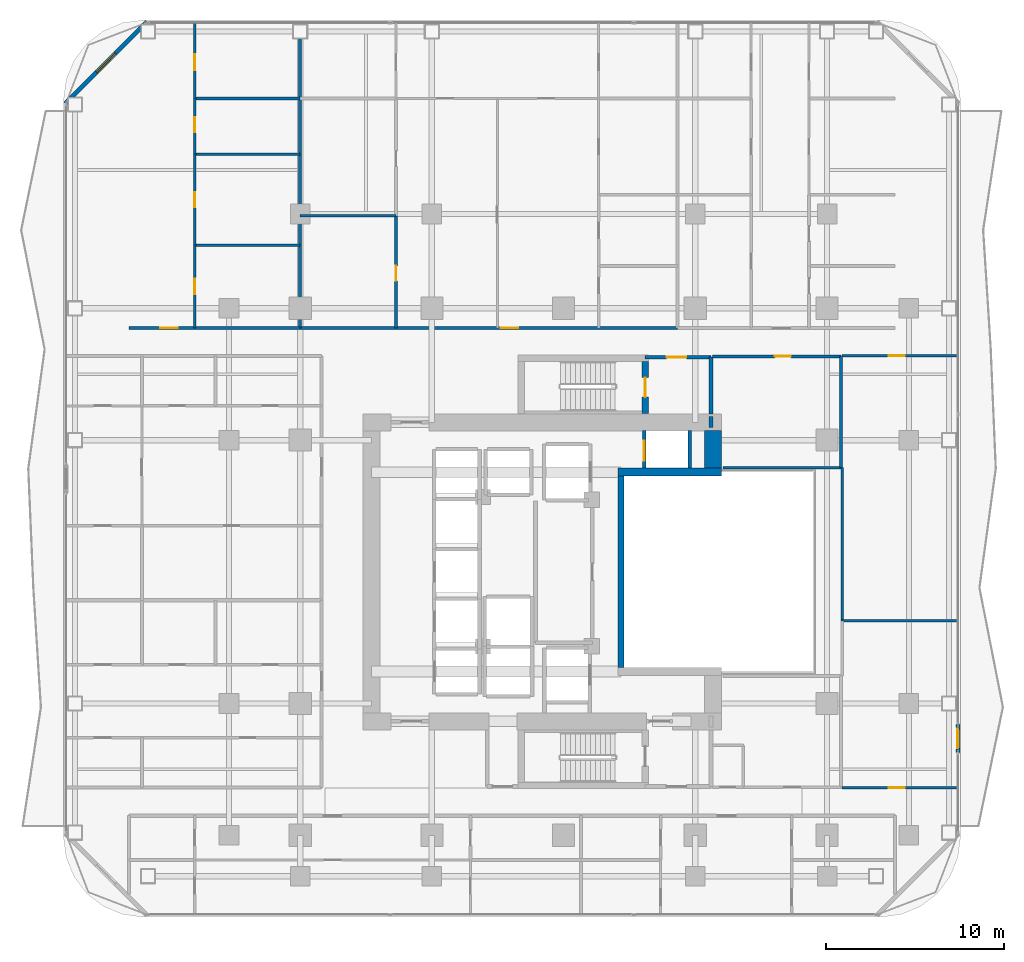
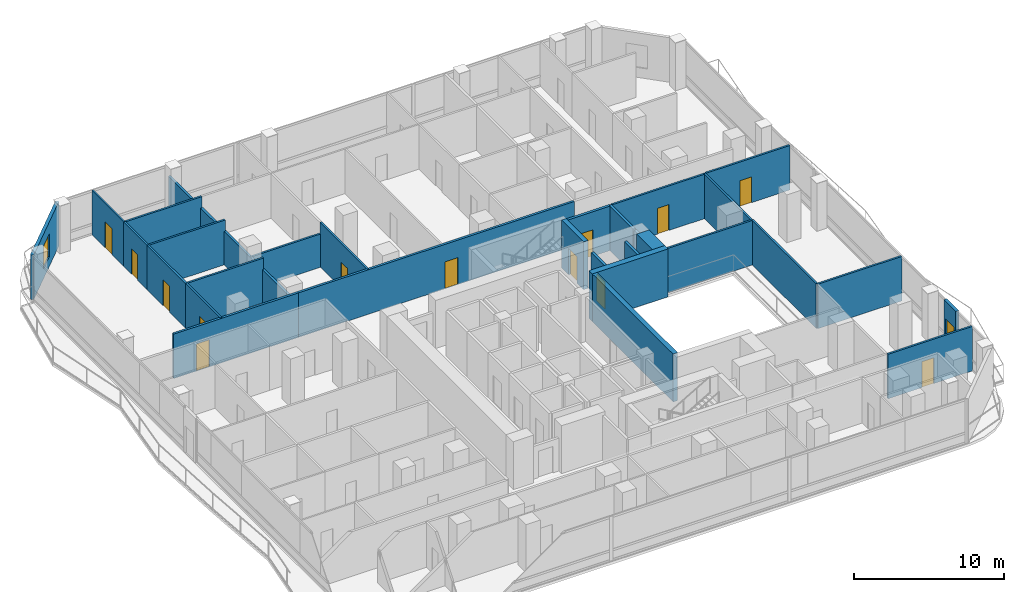
# One storey, part 22 of 28: 30 walls, 14 doors, 1 window, 15 openings.
"""IFC4 building model written with IfcOpenShell, lengths in metres."""

from ifc_helpers import new_model, si_unit, direction, frame, frame_2d, origin, place, context, subcontext, project, spatial, rectangle, extrude, material, layer, layer_set, type_object, element, fill, save


model = new_model("IFC4")

# Units and contexts
model_context = context("Model", 3, precision=1e-05, world=origin(), true_north=direction((0.0, 1.0)))
body_context = subcontext(model_context, "Body", "Model", "MODEL_VIEW")
ifc_project = project(units=[si_unit("LENGTHUNIT", "METRE"), si_unit("AREAUNIT", "SQUARE_METRE"), si_unit("VOLUMEUNIT", "CUBIC_METRE"), si_unit("PLANEANGLEUNIT", "RADIAN"), si_unit("MASSUNIT", "GRAM", prefix="KILO")], contexts=[model_context])

# Site, building, storey
site_placement = place(None, origin())
site = spatial("IfcSite", under=ifc_project, at=site_placement, CompositionType="ELEMENT")
building_placement = place(site_placement, origin())
building = spatial("IfcBuilding", under=site, at=building_placement, Name="Khorvyn Point Tower", CompositionType="ELEMENT")
storey_placement = place(building_placement, frame((0.0, 0.0, 104.699951171875)))
storey = spatial("IfcBuildingStorey", under=building, at=storey_placement, Name="L26", CompositionType="ELEMENT", Elevation=104.699951171875)

# Wall, opening, door
ifc_material_1 = material(Name="Double acoustic gypsum on twin steel stud", Category="steel")
ifc_layer_1 = layer(ifc_material_1, 0.179931640625)
ifc_layer_set_1 = layer_set([ifc_layer_1], Name="Acoustic Double-Stud Apartment Demising Wall 180")
wall_type_1 = type_object("IfcWallType", Name="Acoustic Double-Stud Apartment Demising Wall 180", PredefinedType="PARTITIONING", material=ifc_layer_set_1)
wall_1_placement = place(storey_placement, frame((-24.419921875, 13.699951171875, 0.0), z_axis=(0.0, 0.0, 1.0), x_axis=(1.0, 0.0, 0.0)))
wall_1 = element("IfcWall", 1, at=wall_1_placement, inside=storey, type_object=wall_type_1, Name="Wall", PredefinedType="PARTITIONING", context=body_context, shape_type="SweptSolid", body=[
    extrude(rectangle(XDim=9.61181640625, YDim=0.179931640625, at=frame_2d((4.805908203125, 0.0))), origin(), (0.0, 0.0, 1.0), 3.6201171875),
])
opening_1_placement = place(wall_1_placement, frame((1.747802734375, 0.0, 0.0)))
opening_1 = element("IfcOpeningElement", 2, at=opening_1_placement, cuts=wall_1, Name="Opening ID-AP60", PredefinedType="OPENING", context=body_context, shape_type="SweptSolid", body=[
    extrude(rectangle(XDim=1.0, YDim=2.199951171875, at=frame_2d((0.5, 1.10009765625))), frame((0.0, 0.099853515625, 0.0), z_axis=(0.0, -1.0, 0.0), x_axis=(1.0, 0.0, 0.0)), (0.0, 0.0, 1.0), 0.199951171875),
])
ifc_material_2 = material(Name="Engineered hardwood fire-rated leaf", Category="wood")
door_type_1 = type_object("IfcDoorType", Name="Acoustic Solid-Core Timber Apartment Entrance Door 1000x2200", OperationType="NOTDEFINED", PredefinedType="DOOR", material=ifc_material_2)
door_1_placement = place(opening_1_placement, origin())
door_1 = element("IfcDoor", 3, at=door_1_placement, inside=storey, type_object=door_type_1, Name="Door", OperationType="SINGLE_SWING_RIGHT", OverallHeight=2.199951171875, OverallWidth=1.0, PredefinedType="DOOR", context=body_context, shape_type="SweptSolid", body=[
    extrude(rectangle(XDim=1.0, YDim=2.199951171875, at=frame_2d((0.5, 1.10009765625))), frame((0.0, 0.02490234375, 0.0), z_axis=(0.0, -1.0, 0.0), x_axis=(1.0, 0.0, 0.0)), (0.0, 0.0, 1.0), 0.050048828125),
])
fill(opening_1, door_1)

wall_2_placement = place(storey_placement, frame((-14.80810546875, 13.699951171875, 0.0), z_axis=(0.0, 0.0, 1.0), x_axis=(1.0, 0.0, 0.0)))
wall_2 = element("IfcWall", 4, at=wall_2_placement, inside=storey, type_object=wall_type_1, Name="Wall", PredefinedType="PARTITIONING", context=body_context, shape_type="SweptSolid", body=[
    extrude(rectangle(XDim=21.212158203125, YDim=0.179931640625, at=frame_2d((10.60595703125, 0.0))), origin(), (0.0, 0.0, 1.0), 3.6201171875),
])
opening_2_placement = place(wall_2_placement, frame((11.270751953125, 0.0, 0.0)))
opening_2 = element("IfcOpeningElement", 5, at=opening_2_placement, cuts=wall_2, Name="Opening ID-AP60", PredefinedType="OPENING", context=body_context, shape_type="SweptSolid", body=[
    extrude(rectangle(XDim=1.0, YDim=2.199951171875, at=frame_2d((0.5, 1.10009765625))), frame((0.0, 0.099853515625, 0.0), z_axis=(0.0, -1.0, 0.0), x_axis=(1.0, 0.0, 0.0)), (0.0, 0.0, 1.0), 0.199951171875),
])
door_2_placement = place(opening_2_placement, origin())
door_2 = element("IfcDoor", 6, at=door_2_placement, inside=storey, type_object=door_type_1, Name="Door", OperationType="SINGLE_SWING_LEFT", OverallHeight=2.199951171875, OverallWidth=1.0, PredefinedType="DOOR", context=body_context, shape_type="SweptSolid", body=[
    extrude(rectangle(XDim=1.0, YDim=2.199951171875, at=frame_2d((0.5, 1.10009765625))), frame((0.0, 0.02490234375, 0.0), z_axis=(0.0, -1.0, 0.0), x_axis=(1.0, 0.0, 0.0)), (0.0, 0.0, 1.0), 0.050048828125),
])
fill(opening_2, door_2)

# Wall
wall_3_placement = place(storey_placement, frame((-14.80810546875, 13.699951171875, 0.0), z_axis=(0.0, 0.0, 1.0), x_axis=(0.0, 1.0, 0.0)))
element("IfcWall", 7, at=wall_3_placement, inside=storey, type_object=wall_type_1, Name="Wall", PredefinedType="PARTITIONING", context=body_context, shape_type="SweptSolid", body=[
    extrude(rectangle(XDim=17.130126953125, YDim=0.179931640625, at=frame_2d((8.56494140625, 0.0))), origin(), (0.0, 0.0, 1.0), 2.7099609375),
])

# Wall, opening, door
ifc_material_3 = material(Name="Pale anodised aluminium rainscreen on steel stud", Category="steel")
ifc_layer_2 = layer(ifc_material_3, 0.239990234375)
ifc_layer_set_2 = layer_set([ifc_layer_2], Name="Anodised Aluminium Insulated Corner Spandrel Wall 240")
wall_type_2 = type_object("IfcWallType", Name="Anodised Aluminium Insulated Corner Spandrel Wall 240", PredefinedType="SOLIDWALL", material=ifc_layer_set_2)
wall_4_placement = place(storey_placement, frame((22.14990234375, -8.576904296875, 0.0), z_axis=(0.0, 0.0, 1.0), x_axis=(0.0, -1.0, 0.0)))
wall_4 = element("IfcWall", 8, at=wall_4_placement, inside=storey, type_object=wall_type_2, Name="L26 East Outdoor Threshold Wall", PredefinedType="SOLIDWALL", context=body_context, shape_type="SweptSolid", body=[
    extrude(rectangle(XDim=1.580078125, YDim=0.239990234375, at=frame_2d((0.7900390625, 0.0))), origin(), (0.0, 0.0, 1.0), 3.6201171875),
])
opening_3_placement = place(wall_4_placement, frame((0.239990234375, 0.0, 0.0)))
opening_3 = element("IfcOpeningElement", 9, at=opening_3_placement, cuts=wall_4, Name="Opening BD-1122", PredefinedType="OPENING", context=body_context, shape_type="SweptSolid", body=[
    extrude(rectangle(XDim=1.10009765625, YDim=2.199951171875, at=frame_2d((0.550048828125, 1.10009765625))), frame((0.0, 0.1298828125, 0.0), z_axis=(0.0, -1.0, 0.0), x_axis=(1.0, 0.0, 0.0)), (0.0, 0.0, 1.0), 0.260009765625),
])
ifc_material_4 = material(Name="Anodised aluminium 6063-T6 and laminated Low-E glass", Category="aluminium")
door_type_2 = type_object("IfcDoorType", Name="Glazed Balcony and Terrace Threshold Door 1100x2200", OperationType="NOTDEFINED", PredefinedType="DOOR", material=ifc_material_4)
door_3_placement = place(opening_3_placement, origin())
door_3 = element("IfcDoor", 10, at=door_3_placement, inside=storey, type_object=door_type_2, Name="L26 East Glazed Balcony Outdoor Door", OperationType="SINGLE_SWING_RIGHT", OverallHeight=2.199951171875, OverallWidth=1.10009765625, PredefinedType="DOOR", context=body_context, shape_type="SweptSolid", body=[
    extrude(rectangle(XDim=1.10009765625, YDim=2.199951171875, at=frame_2d((0.550048828125, 1.10009765625))), frame((0.0, 0.02490234375, 0.0), z_axis=(0.0, -1.0, 0.0), x_axis=(1.0, 0.0, 0.0)), (0.0, 0.0, 1.0), 0.050048828125),
])
fill(opening_3, door_3)

# Wall, opening, window
wall_5_placement = place(storey_placement, frame((-27.992431640625, 26.3076171875, 0.0), z_axis=(0.0, 0.0, 1.0), x_axis=(0.707106781187, 0.707106781187, 0.0)))
wall_5 = element("IfcWall", 11, at=wall_5_placement, inside=storey, type_object=wall_type_2, Name="L26 Rounded Corner Wall NW", PredefinedType="SOLIDWALL", context=body_context, shape_type="SweptSolid", body=[
    extrude(rectangle(XDim=6.48388671875, YDim=0.239990234375, at=frame_2d((3.241943359375, 0.0))), origin(), (0.0, 0.0, 1.0), 3.6201171875),
])
opening_4_placement = place(wall_5_placement, frame((2.491943359375, 0.0, 0.800048828125)))
opening_4 = element("IfcOpeningElement", 12, at=opening_4_placement, cuts=wall_5, Name="Opening WN-1518", PredefinedType="OPENING", context=body_context, shape_type="SweptSolid", body=[
    extrude(rectangle(XDim=1.5, YDim=1.85009765625, at=frame_2d((0.75, 0.925048828125))), frame((0.0, 0.1298828125, 0.0), z_axis=(0.0, -1.0, 0.0), x_axis=(1.0, 0.0, 0.0)), (0.0, 0.0, 1.0), 0.260009765625),
])
window_type = type_object("IfcWindowType", Name="Anodised Aluminium Rounded-Corner Panoramic Window 1500x1850", PartitioningType="SINGLE_PANEL", PredefinedType="WINDOW", material=ifc_material_4)
window_placement = place(opening_4_placement, origin())
window = element("IfcWindow", 13, at=window_placement, inside=storey, type_object=window_type, Name="L26 Corner Panoramic Window NW", OverallHeight=1.85009765625, OverallWidth=1.5, PartitioningType="SINGLE_PANEL", PredefinedType="WINDOW", context=body_context, shape_type="SweptSolid", body=[
    extrude(rectangle(XDim=1.5, YDim=1.85009765625, at=frame_2d((0.75, 0.925048828125))), frame((0.0, 0.030029296875, 0.0), z_axis=(0.0, -1.0, 0.0), x_axis=(1.0, 0.0, 0.0)), (0.0, 0.0, 1.0), 0.06005859375),
])
fill(opening_4, window)

# Wall
ifc_material_5 = material(Name="Concrete C40/50", Category="concrete")
ifc_layer_3 = layer(ifc_material_5, 0.449951171875)
ifc_layer_set_3 = layer_set([ifc_layer_3], Name="Concrete C40/50 Core Shear Wall 450")
wall_type_3 = type_object("IfcWallType", Name="Concrete C40/50 Core Shear Wall 450", PredefinedType="SHEAR", material=ifc_layer_set_3)
wall_6_placement = place(storey_placement, frame((3.044921875, 5.60009765625, 0.0), z_axis=(0.0, 0.0, 1.0), x_axis=(1.0, 0.0, 0.0)))
element("IfcWall", 14, at=wall_6_placement, inside=storey, type_object=wall_type_3, Name="Wall", PredefinedType="SHEAR", context=body_context, shape_type="SweptSolid", body=[
    extrude(rectangle(XDim=5.830078125, YDim=0.449951171875, at=frame_2d((2.9150390625, 0.0))), origin(), (0.0, 0.0, 1.0), 3.900146484375),
])

# Wall, opening, door
ifc_layer_4 = layer(ifc_material_5, 0.199951171875)
ifc_layer_set_4 = layer_set([ifc_layer_4], Name="Concrete C40/50 Fire-Lobby Compartment Wall 200")
wall_type_4 = type_object("IfcWallType", Name="Concrete C40/50 Fire-Lobby Compartment Wall 200", PredefinedType="SOLIDWALL", material=ifc_layer_set_4)
wall_7_placement = place(storey_placement, frame((4.580078125, 12.06005859375, 0.0), z_axis=(0.0, 0.0, 1.0), x_axis=(1.0, 0.0, 0.0)))
wall_7 = element("IfcWall", 15, at=wall_7_placement, inside=storey, type_object=wall_type_4, Name="Wall", PredefinedType="SOLIDWALL", context=body_context, shape_type="SweptSolid", body=[
    extrude(rectangle(XDim=3.699951171875, YDim=0.199951171875, at=frame_2d((1.85009765625, 0.0))), origin(), (0.0, 0.0, 1.0), 3.6201171875),
])
opening_5_placement = place(wall_7_placement, frame((1.21240234375, 0.0, 0.0)))
opening_5 = element("IfcOpeningElement", 16, at=opening_5_placement, cuts=wall_7, Name="Opening ID-FL90", PredefinedType="OPENING", context=body_context, shape_type="SweptSolid", body=[
    extrude(rectangle(XDim=1.10009765625, YDim=2.14990234375, at=frame_2d((0.550048828125, 1.074951171875))), frame((0.0, 0.10986328125, 0.0), z_axis=(0.0, -1.0, 0.0), x_axis=(1.0, 0.0, 0.0)), (0.0, 0.0, 1.0), 0.219970703125),
])
ifc_material_6 = material(Name="Galvanised powder-coated steel", Category="steel")
door_type_3 = type_object("IfcDoorType", Name="Fire-Rated Steel Lobby and Stair Door 1100x2150", OperationType="NOTDEFINED", PredefinedType="DOOR", material=ifc_material_6)
door_4_placement = place(opening_5_placement, origin())
door_4 = element("IfcDoor", 17, at=door_4_placement, inside=storey, type_object=door_type_3, Name="Door", OperationType="SINGLE_SWING_RIGHT", OverallHeight=2.14990234375, OverallWidth=1.10009765625, PredefinedType="DOOR", context=body_context, shape_type="SweptSolid", body=[
    extrude(rectangle(XDim=1.10009765625, YDim=2.14990234375, at=frame_2d((0.550048828125, 1.074951171875))), frame((0.0, 0.02490234375, 0.0), z_axis=(0.0, -1.0, 0.0), x_axis=(1.0, 0.0, 0.0)), (0.0, 0.0, 1.0), 0.050048828125),
])
fill(opening_5, door_4)

# Walls
wall_8_placement = place(storey_placement, frame((8.280029296875, 8.875, 0.0), z_axis=(0.0, 0.0, 1.0), x_axis=(0.0, 1.0, 0.0)))
element("IfcWall", 18, at=wall_8_placement, inside=storey, type_object=wall_type_4, Name="Wall", PredefinedType="SOLIDWALL", context=body_context, shape_type="SweptSolid", body=[
    extrude(rectangle(XDim=3.18505859375, YDim=0.199951171875, at=frame_2d((1.592529296875, 0.0))), origin(), (0.0, 0.0, 1.0), 3.6201171875),
])
wall_9_placement = place(storey_placement, frame((8.280029296875, 8.10009765625, 0.0), z_axis=(0.0, 0.0, 1.0), x_axis=(0.0, 1.0, 0.0)))
element("IfcWall", 19, at=wall_9_placement, inside=storey, type_object=wall_type_4, Name="Wall", PredefinedType="SOLIDWALL", context=body_context, shape_type="SweptSolid", body=[
    extrude(rectangle(XDim=0.625, YDim=0.199951171875, at=frame_2d((0.3125, 0.0))), origin(), (0.0, 0.0, 1.0), 3.6201171875),
])
ifc_layer_5 = layer(ifc_material_5, 0.35009765625)
ifc_layer_set_5 = layer_set([ifc_layer_5], Name="Concrete C40/50 Stair Shaft Structural Wall 350")
wall_type_5 = type_object("IfcWallType", Name="Concrete C40/50 Stair Shaft Structural Wall 350", PredefinedType="SHEAR", material=ifc_layer_set_5)
wall_10_placement = place(storey_placement, frame((3.219970703125, -5.375, 0.0), z_axis=(0.0, 0.0, 1.0), x_axis=(0.0, 1.0, 0.0)))
element("IfcWall", 20, at=wall_10_placement, inside=storey, type_object=wall_type_5, Name="Wall", PredefinedType="SHEAR", context=body_context, shape_type="SweptSolid", body=[
    extrude(rectangle(XDim=10.75, YDim=0.35009765625, at=frame_2d((5.375, 0.0))), origin(), (0.0, 0.0, 1.0), 3.900146484375),
])

# Wall, opening, door
wall_11_placement = place(storey_placement, frame((4.580078125, 11.824951171875, 0.0), z_axis=(0.0, 0.0, 1.0), x_axis=(0.0, -1.0, 0.0)))
wall_11 = element("IfcWall", 21, at=wall_11_placement, inside=storey, type_object=wall_type_5, Name="L26 ST-02 East Landing Door Wall", PredefinedType="SHEAR", context=body_context, shape_type="SweptSolid", body=[
    extrude(rectangle(XDim=2.925048828125, YDim=0.35009765625, at=frame_2d((1.46240234375, 0.0))), origin(), (0.0, 0.0, 1.0), 3.900146484375),
])
opening_6_placement = place(wall_11_placement, frame((0.91259765625, 0.0, 0.0)))
opening_6 = element("IfcOpeningElement", 22, at=opening_6_placement, cuts=wall_11, Name="Opening ID-FL90", PredefinedType="OPENING", context=body_context, shape_type="SweptSolid", body=[
    extrude(rectangle(XDim=1.10009765625, YDim=2.14990234375, at=frame_2d((0.550048828125, 1.074951171875))), frame((0.0, 0.18505859375, 0.0), z_axis=(0.0, -1.0, 0.0), x_axis=(1.0, 0.0, 0.0)), (0.0, 0.0, 1.0), 0.3701171875),
])
door_5_placement = place(opening_6_placement, origin())
door_5 = element("IfcDoor", 23, at=door_5_placement, inside=storey, type_object=door_type_3, Name="L26 ST-02 Smokeproof Landing Door", OperationType="SINGLE_SWING_LEFT", OverallHeight=2.14990234375, OverallWidth=1.10009765625, PredefinedType="DOOR", context=body_context, shape_type="SweptSolid", body=[
    extrude(rectangle(XDim=1.10009765625, YDim=2.14990234375, at=frame_2d((0.550048828125, 1.074951171875))), frame((0.0, 0.02490234375, 0.0), z_axis=(0.0, -1.0, 0.0), x_axis=(1.0, 0.0, 0.0)), (0.0, 0.0, 1.0), 0.050048828125),
])
fill(opening_6, door_5)

ifc_layer_6 = layer(ifc_material_5, 0.199951171875)
ifc_layer_set_6 = layer_set([ifc_layer_6], Name="Concrete C40/50 Structural Hoistway and Stair Shaft Wall 200")
wall_type_6 = type_object("IfcWallType", Name="Concrete C40/50 Structural Hoistway and Stair Shaft Wall 200", PredefinedType="SHEAR", material=ifc_layer_set_6)
wall_12_placement = place(storey_placement, frame((4.52490234375, 5.824951171875, 0.0), z_axis=(0.0, 0.0, 1.0), x_axis=(0.0, 1.0, 0.0)))
wall_12 = element("IfcWall", 24, at=wall_12_placement, inside=storey, type_object=wall_type_6, Name="Wall", PredefinedType="SHEAR", context=body_context, shape_type="SweptSolid", body=[
    extrude(rectangle(XDim=2.10009765625, YDim=0.199951171875, at=frame_2d((1.050048828125, 0.0))), origin(), (0.0, 0.0, 1.0), 3.6201171875),
])
opening_7_placement = place(wall_12_placement, frame((0.425048828125, 0.0, 0.0)))
opening_7 = element("IfcOpeningElement", 25, at=opening_7_placement, cuts=wall_12, Name="Opening LD-1122", PredefinedType="OPENING", context=body_context, shape_type="SweptSolid", body=[
    extrude(rectangle(XDim=1.10009765625, YDim=2.199951171875, at=frame_2d((0.550048828125, 1.10009765625))), frame((0.0, 0.10986328125, 0.0), z_axis=(0.0, -1.0, 0.0), x_axis=(1.0, 0.0, 0.0)), (0.0, 0.0, 1.0), 0.219970703125),
])
ifc_material_7 = material(Name="Stainless steel 1.4301", Category="steel")
door_type_4 = type_object("IfcDoorType", Name="Stainless Steel Automatic Sliding Lift Landing Door 1100x2200", OperationType="SLIDING_TO_LEFT", PredefinedType="DOOR", material=ifc_material_7)
door_6_placement = place(opening_7_placement, origin())
door_6 = element("IfcDoor", 26, at=door_6_placement, inside=storey, type_object=door_type_4, Name="L26 FF-02 Sliding Lift Landing Door", OperationType="SLIDING_TO_LEFT", OverallHeight=2.199951171875, OverallWidth=1.10009765625, PredefinedType="DOOR", context=body_context, shape_type="SweptSolid", body=[
    extrude(rectangle(XDim=1.10009765625, YDim=2.199951171875, at=frame_2d((0.550048828125, 1.10009765625))), frame((0.0, 0.02490234375, 0.0), z_axis=(0.0, -1.0, 0.0), x_axis=(1.0, 0.0, 0.0)), (0.0, 0.0, 1.0), 0.050048828125),
])
fill(opening_7, door_6)

# Walls
wall_13_placement = place(storey_placement, frame((7.074951171875, 5.824951171875, 0.0), z_axis=(0.0, 0.0, 1.0), x_axis=(0.0, 1.0, 0.0)))
element("IfcWall", 27, at=wall_13_placement, inside=storey, type_object=wall_type_6, Name="Wall", PredefinedType="SHEAR", context=body_context, shape_type="SweptSolid", body=[
    extrude(rectangle(XDim=2.10009765625, YDim=0.199951171875, at=frame_2d((1.050048828125, 0.0))), origin(), (0.0, 0.0, 1.0), 3.6201171875),
])
ifc_material_8 = material(Name="Concrete C50/60", Category="concrete")
ifc_layer_7 = layer(ifc_material_8, 0.949951171875)
ifc_layer_set_7 = layer_set([ifc_layer_7], Name="Concrete C50/60 Core Shear Wall 950")
wall_type_7 = type_object("IfcWallType", Name="Concrete C50/60 Core Shear Wall 950", PredefinedType="SHEAR", material=ifc_layer_set_7)
wall_14_placement = place(storey_placement, frame((8.39990234375, 5.824951171875, 0.0), z_axis=(0.0, 0.0, 1.0), x_axis=(0.0, 1.0, 0.0)))
element("IfcWall", 28, at=wall_14_placement, inside=storey, type_object=wall_type_7, Name="Wall", PredefinedType="SHEAR", context=body_context, shape_type="SweptSolid", body=[
    extrude(rectangle(XDim=2.10009765625, YDim=0.949951171875, at=frame_2d((1.050048828125, 0.0))), origin(), (0.0, 0.0, 1.0), 3.900146484375),
])

# Wall, opening, door
ifc_material_9 = material(Name="Gypsum plasterboard on steel stud", Category="steel")
ifc_layer_8 = layer(ifc_material_9, 0.1201171875)
ifc_layer_set_8 = layer_set([ifc_layer_8], Name="Gypsum Acoustic Stud Room Partition Wall 120")
wall_type_8 = type_object("IfcWallType", Name="Gypsum Acoustic Stud Room Partition Wall 120", PredefinedType="PARTITIONING", material=ifc_layer_set_8)
wall_15_placement = place(storey_placement, frame((-20.720947265625, 26.590087890625, 0.0), z_axis=(0.0, 0.0, 1.0), x_axis=(0.0, 1.0, 0.0)))
wall_15 = element("IfcWall", 29, at=wall_15_placement, inside=storey, type_object=wall_type_8, Name="Wall", PredefinedType="PARTITIONING", context=body_context, shape_type="SweptSolid", body=[
    extrude(rectangle(XDim=4.239990234375, YDim=0.1201171875, at=frame_2d((2.1201171875, 0.0))), origin(), (0.0, 0.0, 1.0), 3.6201171875),
])
opening_8_placement = place(wall_15_placement, frame((1.581298828125, 0.0, 0.0)))
opening_8 = element("IfcOpeningElement", 30, at=opening_8_placement, cuts=wall_15, Name="Opening ID-RM90", PredefinedType="OPENING", context=body_context, shape_type="SweptSolid", body=[
    extrude(rectangle(XDim=0.89990234375, YDim=2.10009765625, at=frame_2d((0.449951171875, 1.050048828125))), frame((0.0, 0.070068359375, 0.0), z_axis=(0.0, -1.0, 0.0), x_axis=(1.0, 0.0, 0.0)), (0.0, 0.0, 1.0), 0.14013671875),
])
ifc_material_10 = material(Name="Engineered oak veneer timber", Category="wood")
door_type_5 = type_object("IfcDoorType", Name="Flush Engineered Timber Room Door 900x2100", OperationType="NOTDEFINED", PredefinedType="DOOR", material=ifc_material_10)
door_7_placement = place(opening_8_placement, origin())
door_7 = element("IfcDoor", 31, at=door_7_placement, inside=storey, type_object=door_type_5, Name="Door", OperationType="SINGLE_SWING_RIGHT", OverallHeight=2.10009765625, OverallWidth=0.89990234375, PredefinedType="DOOR", context=body_context, shape_type="SweptSolid", body=[
    extrude(rectangle(XDim=0.89990234375, YDim=2.10009765625, at=frame_2d((0.449951171875, 1.050048828125))), frame((0.0, 0.02490234375, 0.0), z_axis=(0.0, -1.0, 0.0), x_axis=(1.0, 0.0, 0.0)), (0.0, 0.0, 1.0), 0.050048828125),
])
fill(opening_8, door_7)

ifc_material_11 = material(Name="Moisture-resistant gypsum and cement board", Category="gypsum")
ifc_layer_9 = layer(ifc_material_11, 0.14990234375)
ifc_layer_set_9 = layer_set([ifc_layer_9], Name="Moisture-Resistant Wet-Room Partition Wall 150")
wall_type_9 = type_object("IfcWallType", Name="Moisture-Resistant Wet-Room Partition Wall 150", PredefinedType="PARTITIONING", material=ifc_layer_set_9)
wall_16_placement = place(storey_placement, frame((8.360107421875, 12.10009765625, 0.0), z_axis=(0.0, 0.0, 1.0), x_axis=(1.0, 0.0, 0.0)))
wall_16 = element("IfcWall", 32, at=wall_16_placement, inside=storey, type_object=wall_type_9, Name="Wall", PredefinedType="PARTITIONING", context=body_context, shape_type="SweptSolid", body=[
    extrude(rectangle(XDim=7.219970703125, YDim=0.14990234375, at=frame_2d((3.60986328125, 0.0))), origin(), (0.0, 0.0, 1.0), 3.6201171875),
])
opening_9_placement = place(wall_16_placement, frame((3.512939453125, 0.0, 0.0)))
opening_9 = element("IfcOpeningElement", 33, at=opening_9_placement, cuts=wall_16, Name="Opening ID-RM90", PredefinedType="OPENING", context=body_context, shape_type="SweptSolid", body=[
    extrude(rectangle(XDim=0.89990234375, YDim=2.10009765625, at=frame_2d((0.449951171875, 1.050048828125))), frame((0.0, 0.0849609375, 0.0), z_axis=(0.0, -1.0, 0.0), x_axis=(1.0, 0.0, 0.0)), (0.0, 0.0, 1.0), 0.169921875),
])
door_8_placement = place(opening_9_placement, origin())
door_8 = element("IfcDoor", 34, at=door_8_placement, inside=storey, type_object=door_type_5, Name="Door", OperationType="SINGLE_SWING_LEFT", OverallHeight=2.10009765625, OverallWidth=0.89990234375, PredefinedType="DOOR", context=body_context, shape_type="SweptSolid", body=[
    extrude(rectangle(XDim=0.89990234375, YDim=2.10009765625, at=frame_2d((0.449951171875, 1.050048828125))), frame((0.0, 0.02490234375, 0.0), z_axis=(0.0, -1.0, 0.0), x_axis=(1.0, 0.0, 0.0)), (0.0, 0.0, 1.0), 0.050048828125),
])
fill(opening_9, door_8)

wall_17_placement = place(storey_placement, frame((-20.720947265625, 18.35107421875, 0.0), z_axis=(0.0, 0.0, 1.0), x_axis=(0.0, 1.0, 0.0)))
wall_17 = element("IfcWall", 35, at=wall_17_placement, inside=storey, type_object=wall_type_9, Name="Wall", PredefinedType="PARTITIONING", context=body_context, shape_type="SweptSolid", body=[
    extrude(rectangle(XDim=5.10986328125, YDim=0.14990234375, at=frame_2d((2.554931640625, 0.0))), origin(), (0.0, 0.0, 1.0), 3.6201171875),
])
opening_10_placement = place(wall_17_placement, frame((2.1298828125, 0.0, 0.0)))
opening_10 = element("IfcOpeningElement", 36, at=opening_10_placement, cuts=wall_17, Name="Opening ID-WC85", PredefinedType="OPENING", context=body_context, shape_type="SweptSolid", body=[
    extrude(rectangle(XDim=0.85009765625, YDim=2.10009765625, at=frame_2d((0.425048828125, 1.050048828125))), frame((0.0, 0.0849609375, 0.0), z_axis=(0.0, -1.0, 0.0), x_axis=(1.0, 0.0, 0.0)), (0.0, 0.0, 1.0), 0.169921875),
])
ifc_material_12 = material(Name="High-pressure laminate on moisture-resistant core", Category="wood")
door_type_6 = type_object("IfcDoorType", Name="Moisture-Resistant Accessible Washroom Door 850x2100", OperationType="NOTDEFINED", PredefinedType="DOOR", material=ifc_material_12)
door_9_placement = place(opening_10_placement, origin())
door_9 = element("IfcDoor", 37, at=door_9_placement, inside=storey, type_object=door_type_6, Name="Door", OperationType="SINGLE_SWING_LEFT", OverallHeight=2.10009765625, OverallWidth=0.85009765625, PredefinedType="DOOR", context=body_context, shape_type="SweptSolid", body=[
    extrude(rectangle(XDim=0.85009765625, YDim=2.10009765625, at=frame_2d((0.425048828125, 1.050048828125))), frame((0.0, 0.02490234375, 0.0), z_axis=(0.0, -1.0, 0.0), x_axis=(1.0, 0.0, 0.0)), (0.0, 0.0, 1.0), 0.050048828125),
])
fill(opening_10, door_9)

wall_18_placement = place(storey_placement, frame((-20.720947265625, 13.699951171875, 0.0), z_axis=(0.0, 0.0, 1.0), x_axis=(0.0, 1.0, 0.0)))
wall_18 = element("IfcWall", 38, at=wall_18_placement, inside=storey, type_object=wall_type_9, Name="Wall", PredefinedType="PARTITIONING", context=body_context, shape_type="SweptSolid", body=[
    extrude(rectangle(XDim=4.651123046875, YDim=0.14990234375, at=frame_2d((2.32568359375, 0.0))), origin(), (0.0, 0.0, 1.0), 3.6201171875),
])
opening_11_placement = place(wall_18_placement, frame((1.900390625, 0.0, 0.0)))
opening_11 = element("IfcOpeningElement", 39, at=opening_11_placement, cuts=wall_18, Name="Opening ID-WC85", PredefinedType="OPENING", context=body_context, shape_type="SweptSolid", body=[
    extrude(rectangle(XDim=0.85009765625, YDim=2.10009765625, at=frame_2d((0.425048828125, 1.050048828125))), frame((0.0, 0.0849609375, 0.0), z_axis=(0.0, -1.0, 0.0), x_axis=(1.0, 0.0, 0.0)), (0.0, 0.0, 1.0), 0.169921875),
])
door_10_placement = place(opening_11_placement, origin())
door_10 = element("IfcDoor", 40, at=door_10_placement, inside=storey, type_object=door_type_6, Name="Door", OperationType="SINGLE_SWING_RIGHT", OverallHeight=2.10009765625, OverallWidth=0.85009765625, PredefinedType="DOOR", context=body_context, shape_type="SweptSolid", body=[
    extrude(rectangle(XDim=0.85009765625, YDim=2.10009765625, at=frame_2d((0.425048828125, 1.050048828125))), frame((0.0, 0.02490234375, 0.0), z_axis=(0.0, -1.0, 0.0), x_axis=(1.0, 0.0, 0.0)), (0.0, 0.0, 1.0), 0.050048828125),
])
fill(opening_11, door_10)

wall_19_placement = place(storey_placement, frame((-20.720947265625, 23.4609375, 0.0), z_axis=(0.0, 0.0, 1.0), x_axis=(0.0, 1.0, 0.0)))
wall_19 = element("IfcWall", 41, at=wall_19_placement, inside=storey, type_object=wall_type_9, Name="Wall", PredefinedType="PARTITIONING", context=body_context, shape_type="SweptSolid", body=[
    extrude(rectangle(XDim=3.129150390625, YDim=0.14990234375, at=frame_2d((1.564453125, 0.0))), origin(), (0.0, 0.0, 1.0), 3.6201171875),
])
opening_12_placement = place(wall_19_placement, frame((1.228515625, 0.0, 0.0)))
opening_12 = element("IfcOpeningElement", 42, at=opening_12_placement, cuts=wall_19, Name="Opening ID-WC85", PredefinedType="OPENING", context=body_context, shape_type="SweptSolid", body=[
    extrude(rectangle(XDim=0.85009765625, YDim=2.10009765625, at=frame_2d((0.425048828125, 1.050048828125))), frame((0.0, 0.0849609375, 0.0), z_axis=(0.0, -1.0, 0.0), x_axis=(1.0, 0.0, 0.0)), (0.0, 0.0, 1.0), 0.169921875),
])
door_11_placement = place(opening_12_placement, origin())
door_11 = element("IfcDoor", 43, at=door_11_placement, inside=storey, type_object=door_type_6, Name="Door", OperationType="SINGLE_SWING_LEFT", OverallHeight=2.10009765625, OverallWidth=0.85009765625, PredefinedType="DOOR", context=body_context, shape_type="SweptSolid", body=[
    extrude(rectangle(XDim=0.85009765625, YDim=2.10009765625, at=frame_2d((0.425048828125, 1.050048828125))), frame((0.0, 0.02490234375, 0.0), z_axis=(0.0, -1.0, 0.0), x_axis=(1.0, 0.0, 0.0)), (0.0, 0.0, 1.0), 0.050048828125),
])
fill(opening_12, door_11)

wall_20_placement = place(storey_placement, frame((-9.4140625, 13.699951171875, 0.0), z_axis=(0.0, 0.0, 1.0), x_axis=(0.0, 1.0, 0.0)))
wall_20 = element("IfcWall", 44, at=wall_20_placement, inside=storey, type_object=wall_type_9, Name="Wall", PredefinedType="PARTITIONING", context=body_context, shape_type="SweptSolid", body=[
    extrude(rectangle(XDim=6.302978515625, YDim=0.14990234375, at=frame_2d((3.1513671875, 0.0))), origin(), (0.0, 0.0, 1.0), 3.6201171875),
])
opening_13_placement = place(wall_20_placement, frame((2.637939453125, 0.0, 0.0)))
opening_13 = element("IfcOpeningElement", 45, at=opening_13_placement, cuts=wall_20, Name="Opening ID-WC85", PredefinedType="OPENING", context=body_context, shape_type="SweptSolid", body=[
    extrude(rectangle(XDim=0.85009765625, YDim=2.10009765625, at=frame_2d((0.425048828125, 1.050048828125))), frame((0.0, 0.0849609375, 0.0), z_axis=(0.0, -1.0, 0.0), x_axis=(1.0, 0.0, 0.0)), (0.0, 0.0, 1.0), 0.169921875),
])
door_12_placement = place(opening_13_placement, origin())
door_12 = element("IfcDoor", 46, at=door_12_placement, inside=storey, type_object=door_type_6, Name="Door", OperationType="SINGLE_SWING_LEFT", OverallHeight=2.10009765625, OverallWidth=0.85009765625, PredefinedType="DOOR", context=body_context, shape_type="SweptSolid", body=[
    extrude(rectangle(XDim=0.85009765625, YDim=2.10009765625, at=frame_2d((0.425048828125, 1.050048828125))), frame((0.0, 0.02490234375, 0.0), z_axis=(0.0, -1.0, 0.0), x_axis=(1.0, 0.0, 0.0)), (0.0, 0.0, 1.0), 0.050048828125),
])
fill(opening_13, door_12)

wall_21_placement = place(storey_placement, frame((15.64990234375, -12.139892578125, 0.0), z_axis=(0.0, 0.0, 1.0), x_axis=(1.0, 0.0, 0.0)))
wall_21 = element("IfcWall", 47, at=wall_21_placement, inside=storey, type_object=wall_type_9, Name="Wall", PredefinedType="PARTITIONING", context=body_context, shape_type="SweptSolid", body=[
    extrude(rectangle(XDim=6.47021484375, YDim=0.14990234375, at=frame_2d((3.235107421875, 0.0))), origin(), (0.0, 0.0, 1.0), 3.6201171875),
])
opening_14_placement = place(wall_21_placement, frame((2.610107421875, 0.0, 0.0)))
opening_14 = element("IfcOpeningElement", 48, at=opening_14_placement, cuts=wall_21, Name="Opening ID-RM90", PredefinedType="OPENING", context=body_context, shape_type="SweptSolid", body=[
    extrude(rectangle(XDim=0.89990234375, YDim=2.10009765625, at=frame_2d((0.449951171875, 1.050048828125))), frame((0.0, 0.0849609375, 0.0), z_axis=(0.0, -1.0, 0.0), x_axis=(1.0, 0.0, 0.0)), (0.0, 0.0, 1.0), 0.169921875),
])
door_13_placement = place(opening_14_placement, origin())
door_13 = element("IfcDoor", 49, at=door_13_placement, inside=storey, type_object=door_type_5, Name="Door", OperationType="SINGLE_SWING_RIGHT", OverallHeight=2.10009765625, OverallWidth=0.89990234375, PredefinedType="DOOR", context=body_context, shape_type="SweptSolid", body=[
    extrude(rectangle(XDim=0.89990234375, YDim=2.10009765625, at=frame_2d((0.449951171875, 1.050048828125))), frame((0.0, 0.02490234375, 0.0), z_axis=(0.0, -1.0, 0.0), x_axis=(1.0, 0.0, 0.0)), (0.0, 0.0, 1.0), 0.050048828125),
])
fill(opening_14, door_13)

wall_22_placement = place(storey_placement, frame((15.64990234375, 12.139892578125, 0.0), z_axis=(0.0, 0.0, 1.0), x_axis=(1.0, 0.0, 0.0)))
wall_22 = element("IfcWall", 50, at=wall_22_placement, inside=storey, type_object=wall_type_9, Name="Wall", PredefinedType="PARTITIONING", context=body_context, shape_type="SweptSolid", body=[
    extrude(rectangle(XDim=6.47021484375, YDim=0.14990234375, at=frame_2d((3.235107421875, 0.0))), origin(), (0.0, 0.0, 1.0), 3.6201171875),
])
opening_15_placement = place(wall_22_placement, frame((2.610107421875, 0.0, 0.0)))
opening_15 = element("IfcOpeningElement", 51, at=opening_15_placement, cuts=wall_22, Name="Opening ID-RM90", PredefinedType="OPENING", context=body_context, shape_type="SweptSolid", body=[
    extrude(rectangle(XDim=0.89990234375, YDim=2.10009765625, at=frame_2d((0.449951171875, 1.050048828125))), frame((0.0, 0.0849609375, 0.0), z_axis=(0.0, -1.0, 0.0), x_axis=(1.0, 0.0, 0.0)), (0.0, 0.0, 1.0), 0.169921875),
])
door_14_placement = place(opening_15_placement, origin())
door_14 = element("IfcDoor", 52, at=door_14_placement, inside=storey, type_object=door_type_5, Name="Door", OperationType="SINGLE_SWING_LEFT", OverallHeight=2.10009765625, OverallWidth=0.89990234375, PredefinedType="DOOR", context=body_context, shape_type="SweptSolid", body=[
    extrude(rectangle(XDim=0.89990234375, YDim=2.10009765625, at=frame_2d((0.449951171875, 1.050048828125))), frame((0.0, 0.02490234375, 0.0), z_axis=(0.0, -1.0, 0.0), x_axis=(1.0, 0.0, 0.0)), (0.0, 0.0, 1.0), 0.050048828125),
])
fill(opening_15, door_14)

# Walls
wall_23_placement = place(storey_placement, frame((15.580078125, 5.85009765625, 0.0), z_axis=(0.0, 0.0, 1.0), x_axis=(0.0, 1.0, 0.0)))
element("IfcWall", 53, at=wall_23_placement, inside=storey, type_object=wall_type_9, Name="Wall", PredefinedType="PARTITIONING", context=body_context, shape_type="SweptSolid", body=[
    extrude(rectangle(XDim=6.25, YDim=0.14990234375, at=frame_2d((3.125, 0.0))), origin(), (0.0, 0.0, 1.0), 3.6201171875),
])
wall_24_placement = place(storey_placement, frame((8.9599609375, 5.85009765625, 0.0), z_axis=(0.0, 0.0, 1.0), x_axis=(1.0, 0.0, 0.0)))
element("IfcWall", 54, at=wall_24_placement, inside=storey, type_object=wall_type_9, Name="Wall", PredefinedType="PARTITIONING", context=body_context, shape_type="SweptSolid", body=[
    extrude(rectangle(XDim=6.6201171875, YDim=0.14990234375, at=frame_2d((3.31005859375, 0.0))), origin(), (0.0, 0.0, 1.0), 3.6201171875),
])
for number, where, z_axis, x_axis, name in (
    (55, (-20.720947265625, 18.35107421875, 0.0), (0.0, 0.0, 1.0), (1.0, 0.0, 0.0), "Wall"),
    (56, (-20.720947265625, 23.4609375, 0.0), (0.0, 0.0, 1.0), (1.0, 0.0, 0.0), "Wall"),
    (57, (-20.720947265625, 26.590087890625, 0.0), (0.0, 0.0, 1.0), (1.0, 0.0, 0.0), "Wall"),
):
    element("IfcWall", number, at=place(storey_placement, frame(where, z_axis=z_axis, x_axis=x_axis)), inside=storey, type_object=wall_type_9, Name=name, PredefinedType="PARTITIONING", context=body_context, shape_type="SweptSolid", body=[
        extrude(rectangle(XDim=5.912841796875, YDim=0.14990234375, at=frame_2d((2.95654296875, 0.0))), origin(), (0.0, 0.0, 1.0), 3.6201171875),
    ])
wall_25_placement = place(storey_placement, frame((-14.80810546875, 20.0029296875, 0.0), z_axis=(0.0, 0.0, 1.0), x_axis=(1.0, 0.0, 0.0)))
element("IfcWall", 58, at=wall_25_placement, inside=storey, type_object=wall_type_9, Name="Wall", PredefinedType="PARTITIONING", context=body_context, shape_type="SweptSolid", body=[
    extrude(rectangle(XDim=5.39404296875, YDim=0.14990234375, at=frame_2d((2.697021484375, 0.0))), origin(), (0.0, 0.0, 1.0), 2.7099609375),
])
wall_26_placement = place(storey_placement, frame((15.64990234375, -2.75, 0.0), z_axis=(0.0, 0.0, 1.0), x_axis=(0.0, 1.0, 0.0)))
element("IfcWall", 59, at=wall_26_placement, inside=storey, type_object=wall_type_9, Name="Wall", PredefinedType="PARTITIONING", context=body_context, shape_type="SweptSolid", body=[
    extrude(rectangle(XDim=8.60009765625, YDim=0.14990234375, at=frame_2d((4.300048828125, 0.0))), origin(), (0.0, 0.0, 1.0), 3.6201171875),
])
wall_27_placement = place(storey_placement, frame((15.64990234375, -2.75, 0.0), z_axis=(0.0, 0.0, 1.0), x_axis=(1.0, 0.0, 0.0)))
element("IfcWall", 60, at=wall_27_placement, inside=storey, type_object=wall_type_9, Name="Wall", PredefinedType="PARTITIONING", context=body_context, shape_type="SweptSolid", body=[
    extrude(rectangle(XDim=6.47998046875, YDim=0.14990234375, at=frame_2d((3.239990234375, 0.0))), origin(), (0.0, 0.0, 1.0), 3.6201171875),
])

save(model, "model.ifc")
